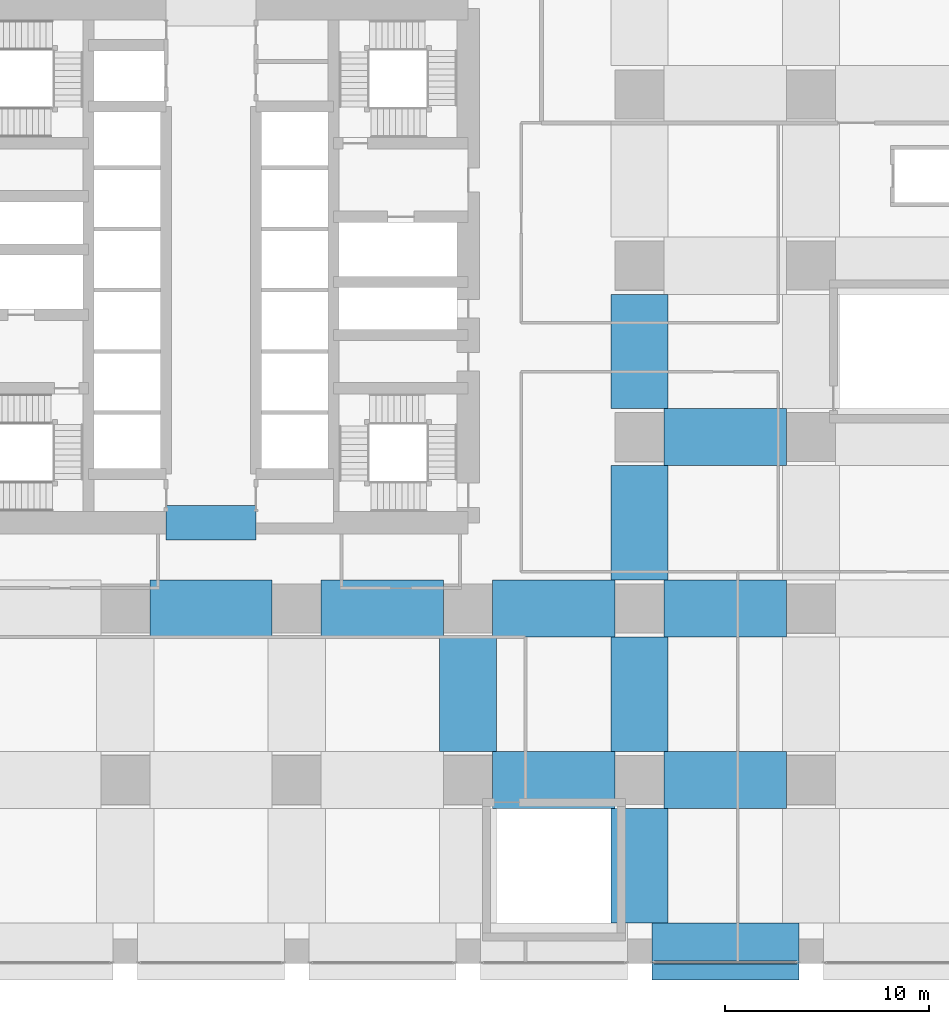
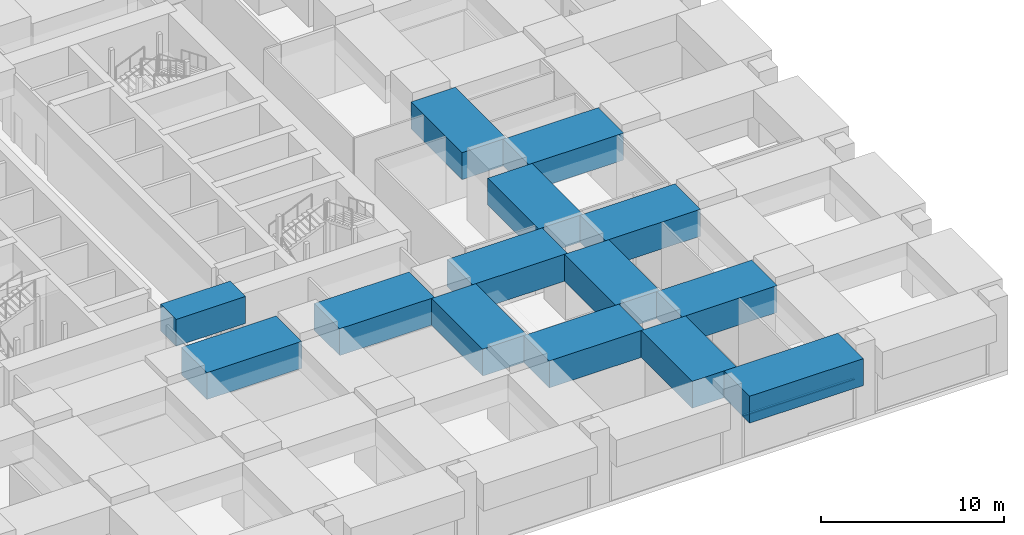
# One storey, part 16 of 52: 14 beams, 1 member, 1 element without a shape of its own.
"""IFC4 building model written with IfcOpenShell, lengths in metres."""

from ifc_helpers import new_model, si_unit, direction, frame, origin, origin_2d, place, context, subcontext, project, spatial, rectangle, hollow_rectangle, extrude, material, material_profile, profile_set, type_object, element, aggregate, save


model = new_model("IFC4")

# Units and contexts
model_context = context("Model", 3, precision=1e-05, world=origin(), true_north=direction((0.0, 1.0)))
body_context = subcontext(model_context, "Body", "Model", "MODEL_VIEW")
ifc_project = project(units=[si_unit("LENGTHUNIT", "METRE"), si_unit("AREAUNIT", "SQUARE_METRE"), si_unit("VOLUMEUNIT", "CUBIC_METRE"), si_unit("PLANEANGLEUNIT", "RADIAN"), si_unit("MASSUNIT", "GRAM", prefix="KILO")], contexts=[model_context])

# Site, building, storey
site_placement = place(None, origin())
site = spatial("IfcSite", under=ifc_project, at=site_placement, CompositionType="ELEMENT")
building_placement = place(site_placement, origin())
building = spatial("IfcBuilding", under=site, at=building_placement, Name="Rekha Terrace Tower", CompositionType="ELEMENT")
storey_placement = place(building_placement, frame((0.0, 0.0, 20.39990234375)))
storey = spatial("IfcBuildingStorey", under=building, at=storey_placement, Name="L04", CompositionType="ELEMENT", Elevation=20.39990234375)

# Curtain wall, member
ifc_material_1 = material(Name="Aluminium framing", Category="aluminium")
curtain_wall_type = type_object("IfcCurtainWallType", Name="CW4 podium shopfront glazing", PredefinedType="USERDEFINED", material=ifc_material_1)
curtain_wall_placement = place(storey_placement, origin())
curtain_wall = element("IfcCurtainWall", 1, at=curtain_wall_placement, inside=storey, type_object=curtain_wall_type, Name="CW4 shopfront curtain wall", ObjectType="SHOPFRONT CURTAIN WALL", PredefinedType="USERDEFINED")
ifc_material_2 = material(Name="Aluminium transom section", Category="aluminium")
ifc_material_profile_1 = material_profile(ifc_material_2, hollow_rectangle(XDim=0.14990234375, YDim=0.074951171875, WallThickness=0.0029296875, at=origin_2d()), Name="AL RHS 150x75")
ifc_profile_set_1 = profile_set([ifc_material_profile_1], Name="Aluminium transom section")
member_type = type_object("IfcMemberType", Name="CW4 transom RHS 75 x 150", PredefinedType="USERDEFINED", material=ifc_profile_set_1)
member_placement = place(storey_placement, frame((59.4951171875, -0.5400390625, 2.7626953125), z_axis=(1.0, 0.0, 0.0), x_axis=(0.0, 1.0, 0.0)))
member = element("IfcMember", 2, at=member_placement, type_object=member_type, Name="CW4 transom 1.2", ObjectType="TRANSOM", PredefinedType="USERDEFINED", context=body_context, shape_type="SweptSolid", body=[
    extrude(hollow_rectangle(XDim=0.14990234375, YDim=0.074951171875, WallThickness=0.0029296875, at=origin_2d()), origin(), (0.0, 0.0, 1.0), 7.009765625),
])
aggregate(curtain_wall, [member])

# Beams
ifc_material_3 = material(Name="Concrete M70", Category="concrete")
ifc_material_profile_2 = material_profile(ifc_material_3, rectangle(XDim=2.800048828125, YDim=1.800048828125, at=origin_2d()), Name="RC 2800x1800")
ifc_profile_set_2 = profile_set([ifc_material_profile_2], Name="Concrete M70")
beam_type_1 = type_object("IfcBeamType", Name="G2 2800x1800 podium roof band beam", PredefinedType="BEAM", material=ifc_profile_set_2)
for number, where, z_axis, x_axis, name in (
    (3, (34.800048828125, 16.800048828125, 3.7001953125), (1.0, 0.0, 0.0), (0.0, 1.0, 0.0), "Beam G2 5C-6C under L05"),
    (4, (43.199951171875, 16.800048828125, 3.7001953125), (1.0, 0.0, 0.0), (0.0, 1.0, 0.0), "Beam G2 6C-7C under L05"),
    (5, (51.60009765625, 8.39990234375, 3.7001953125), (1.0, 0.0, 0.0), (0.0, 1.0, 0.0), "Beam G2 7B-8B under L05"),
):
    element("IfcBeam", number, at=place(storey_placement, frame(where, z_axis=z_axis, x_axis=x_axis)), inside=storey, type_object=beam_type_1, Name=name, PredefinedType="BEAM", context=body_context, shape_type="SweptSolid", body=[
        extrude(rectangle(XDim=2.800048828125, YDim=1.800048828125, at=origin_2d()), origin(), (0.0, 0.0, 1.0), 6.0),
    ])
beam_1_placement = place(storey_placement, frame((50.39990234375, 9.800048828125, 3.7001953125), z_axis=(0.0, 1.0, 0.0), x_axis=(-1.0, 0.0, 0.0)))
element("IfcBeam", 6, at=beam_1_placement, inside=storey, type_object=beam_type_1, Name="Beam G2 7B-7C under L05", PredefinedType="BEAM", context=body_context, shape_type="SweptSolid", body=[
    extrude(rectangle(XDim=2.800048828125, YDim=1.800048828125, at=origin_2d()), origin(), (0.0, 0.0, 1.0), 5.599853515625),
])
beam_2_placement = place(storey_placement, frame((51.60009765625, 16.800048828125, 3.7001953125), z_axis=(1.0, 0.0, 0.0), x_axis=(0.0, 1.0, 0.0)))
element("IfcBeam", 7, at=beam_2_placement, inside=storey, type_object=beam_type_1, Name="Beam G2 7C-8C under L05", PredefinedType="BEAM", context=body_context, shape_type="SweptSolid", body=[
    extrude(rectangle(XDim=2.800048828125, YDim=1.800048828125, at=origin_2d()), origin(), (0.0, 0.0, 1.0), 6.0),
])
beam_3_placement = place(storey_placement, frame((59.39990234375, 0.0, 3.7001953125), z_axis=(1.0, 0.0, 0.0), x_axis=(0.0, 1.0, 0.0)))
element("IfcBeam", 8, at=beam_3_placement, inside=storey, type_object=beam_type_1, Name="Beam G2 8A-9A under L05", PredefinedType="BEAM", context=body_context, shape_type="SweptSolid", body=[
    extrude(rectangle(XDim=2.800048828125, YDim=1.800048828125, at=origin_2d()), origin(), (0.0, 0.0, 1.0), 7.2001953125),
])
beam_4_placement = place(storey_placement, frame((58.800048828125, 1.39990234375, 3.7001953125), z_axis=(0.0, 1.0, 0.0), x_axis=(-1.0, 0.0, 0.0)))
element("IfcBeam", 9, at=beam_4_placement, inside=storey, type_object=beam_type_1, Name="Beam G2 8A-8B under L05", PredefinedType="BEAM", context=body_context, shape_type="SweptSolid", body=[
    extrude(rectangle(XDim=2.800048828125, YDim=1.800048828125, at=origin_2d()), origin(), (0.0, 0.0, 1.0), 5.60009765625),
])
beam_5_placement = place(storey_placement, frame((60.0, 8.39990234375, 3.7001953125), z_axis=(1.0, 0.0, 0.0), x_axis=(0.0, 1.0, 0.0)))
element("IfcBeam", 10, at=beam_5_placement, inside=storey, type_object=beam_type_1, Name="Beam G2 8B-9B under L05", PredefinedType="BEAM", context=body_context, shape_type="SweptSolid", body=[
    extrude(rectangle(XDim=2.800048828125, YDim=1.800048828125, at=origin_2d()), origin(), (0.0, 0.0, 1.0), 6.0),
])
beam_6_placement = place(storey_placement, frame((58.800048828125, 9.800048828125, 3.7001953125), z_axis=(0.0, 1.0, 0.0), x_axis=(-1.0, 0.0, 0.0)))
element("IfcBeam", 11, at=beam_6_placement, inside=storey, type_object=beam_type_1, Name="Beam G2 8B-8C under L05", PredefinedType="BEAM", context=body_context, shape_type="SweptSolid", body=[
    extrude(rectangle(XDim=2.800048828125, YDim=1.800048828125, at=origin_2d()), origin(), (0.0, 0.0, 1.0), 5.599853515625),
])
beam_7_placement = place(storey_placement, frame((60.0, 16.800048828125, 3.7001953125), z_axis=(1.0, 0.0, 0.0), x_axis=(0.0, 1.0, 0.0)))
element("IfcBeam", 12, at=beam_7_placement, inside=storey, type_object=beam_type_1, Name="Beam G2 8C-9C under L05", PredefinedType="BEAM", context=body_context, shape_type="SweptSolid", body=[
    extrude(rectangle(XDim=2.800048828125, YDim=1.800048828125, at=origin_2d()), origin(), (0.0, 0.0, 1.0), 6.0),
])
beam_8_placement = place(storey_placement, frame((58.800048828125, 18.199951171875, 3.7001953125), z_axis=(0.0, 1.0, 0.0), x_axis=(-1.0, 0.0, 0.0)))
element("IfcBeam", 13, at=beam_8_placement, inside=storey, type_object=beam_type_1, Name="Beam G2 8C-8D under L05", PredefinedType="BEAM", context=body_context, shape_type="SweptSolid", body=[
    extrude(rectangle(XDim=2.800048828125, YDim=1.800048828125, at=origin_2d()), origin(), (0.0, 0.0, 1.0), 5.60009765625),
])
beam_9_placement = place(storey_placement, frame((60.0, 25.199951171875, 3.7001953125), z_axis=(1.0, 0.0, 0.0), x_axis=(0.0, 1.0, 0.0)))
element("IfcBeam", 14, at=beam_9_placement, inside=storey, type_object=beam_type_1, Name="Beam G2 8D-9D under L05", PredefinedType="BEAM", context=body_context, shape_type="SweptSolid", body=[
    extrude(rectangle(XDim=2.800048828125, YDim=1.800048828125, at=origin_2d()), origin(), (0.0, 0.0, 1.0), 6.0),
])
beam_10_placement = place(storey_placement, frame((58.800048828125, 26.60009765625, 3.7001953125), z_axis=(0.0, 1.0, 0.0), x_axis=(-1.0, 0.0, 0.0)))
element("IfcBeam", 15, at=beam_10_placement, inside=storey, type_object=beam_type_1, Name="Beam G2 8D-8E under L05", PredefinedType="BEAM", context=body_context, shape_type="SweptSolid", body=[
    extrude(rectangle(XDim=2.800048828125, YDim=1.800048828125, at=origin_2d()), origin(), (0.0, 0.0, 1.0), 5.599853515625),
])
ifc_material_profile_3 = material_profile(ifc_material_3, rectangle(XDim=1.699951171875, YDim=1.800048828125, at=origin_2d()), Name="RC 1700x1800")
ifc_profile_set_3 = profile_set([ifc_material_profile_3], Name="Concrete M70")
beam_type_2 = type_object("IfcBeamType", Name="LB1B 1700x1800 diagonally reinforced coupling beam", PredefinedType="LINTEL", material=ifc_profile_set_3)
beam_11_placement = place(storey_placement, frame((35.60009765625, 21.0, 4.10009765625), z_axis=(1.0, 0.0, 0.0), x_axis=(0.0, 1.0, 0.0)))
element("IfcBeam", 16, at=beam_11_placement, inside=storey, type_object=beam_type_2, Name="Coupling beam LB1B S L04", PredefinedType="LINTEL", context=body_context, shape_type="SweptSolid", body=[
    extrude(rectangle(XDim=1.699951171875, YDim=1.800048828125, at=origin_2d()), origin(), (0.0, 0.0, 1.0), 4.39990234375),
])

save(model, "model.ifc")
